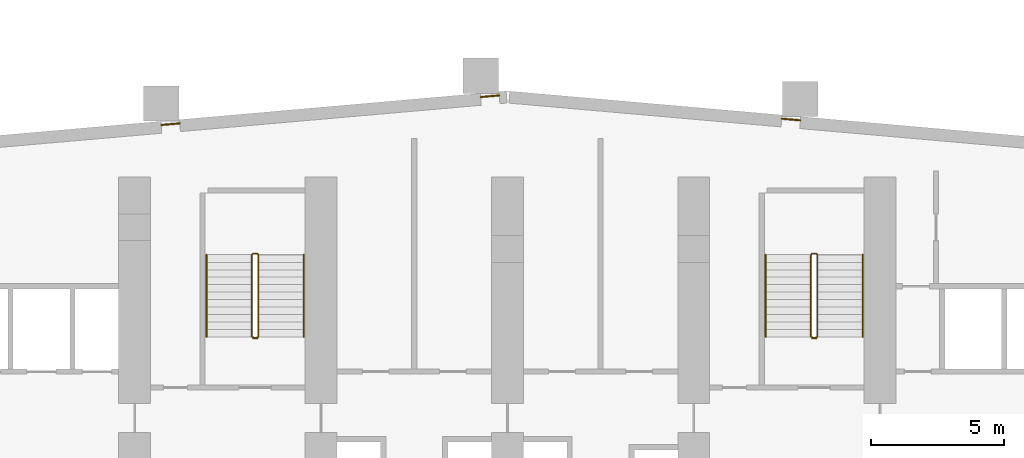
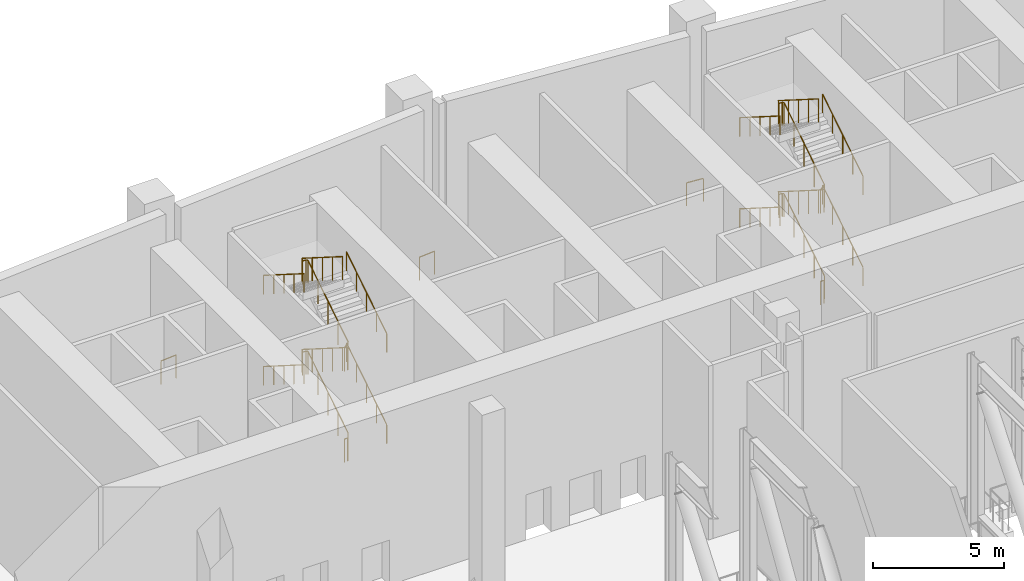
# One storey, part 32 of 33: 15 railings.
"""IFC4 building model written with IfcOpenShell, lengths in metres."""

from ifc_helpers import new_model, si_unit, direction, frame, origin, origin_2d, place, context, subcontext, project, spatial, circle, extrude, material, type_object, element, save


model = new_model("IFC4")

# Units and contexts
model_context = context("Model", 3, precision=1e-05, world=origin(), true_north=direction((0.0, 1.0)))
body_context = subcontext(model_context, "Body", "Model", "MODEL_VIEW")
ifc_project = project(units=[si_unit("LENGTHUNIT", "METRE"), si_unit("AREAUNIT", "SQUARE_METRE"), si_unit("VOLUMEUNIT", "CUBIC_METRE"), si_unit("PLANEANGLEUNIT", "RADIAN"), si_unit("MASSUNIT", "GRAM", prefix="KILO")], contexts=[model_context])

# Site, building, storey
site_placement = place(None, origin())
site = spatial("IfcSite", under=ifc_project, at=site_placement, CompositionType="ELEMENT")
building_placement = place(site_placement, origin())
building = spatial("IfcBuilding", under=site, at=building_placement, Name="Wharfspan Tower", CompositionType="ELEMENT")
storey_placement = place(building_placement, frame((0.0, 0.0, 33.0)))
storey = spatial("IfcBuildingStorey", under=building, at=storey_placement, Name="L05", CompositionType="ELEMENT", Elevation=33.0)

# Railings
ifc_material = material(Name="Steel S355J2", Category="steel")
railing_type_1 = type_object("IfcRailingType", Name="GUARD 1100 STEEL AND GLASS", PredefinedType="GUARDRAIL", material=ifc_material)
for number, where, name in (
    (1, (23.992188, 49.958496, 0.0), "Guard on the deck edge"),
    (2, (35.992188, 51.008301, 0.0), "Guard on the deck edge"),
):
    element("IfcRailing", number, at=place(storey_placement, frame(where)), inside=storey, type_object=railing_type_1, Name=name, PredefinedType="GUARDRAIL", context=body_context, shape_type="SweptSolid", body=[
        extrude(circle(Radius=0.024902, at=origin_2d()), frame((0.0, 0.0, 1.075195), z_axis=(0.99619, 0.087214, 0.0), x_axis=(-0.087214, 0.99619, 0.0)), (0.0, 0.0, 1.0), 0.702637),
        extrude(circle(Radius=0.02002, at=origin_2d()), origin(), (0.0, 0.0, 1.0), 1.050049),
        extrude(circle(Radius=0.02002, at=origin_2d()), frame((0.699951, 0.061279, 0.0)), (0.0, 0.0, 1.0), 1.050049),
    ])
railing_1_placement = place(storey_placement, frame((47.307861, 50.194824, 0.0)))
element("IfcRailing", 3, at=railing_1_placement, inside=storey, type_object=railing_type_1, Name="Guard on the deck edge", PredefinedType="GUARDRAIL", context=body_context, shape_type="SweptSolid", body=[
    extrude(circle(Radius=0.024902, at=origin_2d()), frame((0.0, 0.0, 1.075195), z_axis=(0.99619, -0.087214, 0.0), x_axis=(0.087214, 0.99619, 0.0)), (0.0, 0.0, 1.0), 0.702637),
    extrude(circle(Radius=0.02002, at=origin_2d()), origin(), (0.0, 0.0, 1.0), 1.050049),
    extrude(circle(Radius=0.02002, at=origin_2d()), frame((0.699951, -0.061279, 0.0)), (0.0, 0.0, 1.0), 1.050049),
])
railing_type_2 = type_object("IfcRailingType", Name="Stair guard 1100", PredefinedType="GUARDRAIL", material=ifc_material)
railing_2_placement = place(storey_placement, frame((27.649902, 42.0, 0.177002)))
element("IfcRailing", 4, at=railing_2_placement, inside=storey, type_object=railing_type_2, Name="L05 ST1 stair guard 1", PredefinedType="GUARDRAIL", context=body_context, shape_type="SweptSolid", body=[
    extrude(circle(Radius=0.023926, at=origin_2d()), frame((0.0, 0.0, 1.076172), z_axis=(0.0, 0.845156, 0.53452), x_axis=(-1.0, 0.0, 0.0)), (0.0, 0.0, 1.0), 3.644287),
    extrude(circle(Radius=0.023926, at=origin_2d()), frame((0.0, 3.080078, 3.023926), z_axis=(-0.707107, 0.707107, 0.0), x_axis=(-0.707107, -0.707107, 0.0)), (0.0, 0.0, 1.0), 0.070312),
    extrude(circle(Radius=0.023926, at=origin_2d()), frame((-0.049805, 3.129883, 3.023926), z_axis=(-1.0, 0.0, 0.0), x_axis=(0.0, -1.0, 0.0)), (0.0, 0.0, 1.0), 0.150146),
    extrude(circle(Radius=0.023926, at=origin_2d()), frame((-0.199951, 3.129883, 3.023926), z_axis=(-0.262634, -0.261353, 0.928826), x_axis=(0.705377, -0.708838, -1e-06)), (0.0, 0.0, 1.0), 0.190674),
    extrude(circle(Radius=0.023926, at=origin_2d()), frame((-0.25, 3.080078, 3.201172), z_axis=(0.0, -0.845156, 0.53452), x_axis=(1.0, 0.0, 0.0)), (0.0, 0.0, 1.0), 3.644287),
    extrude(circle(Radius=0.023926, at=origin_2d()), frame((-0.25, 0.0, 5.148926), z_axis=(0.970143, -0.242536, 0.0), x_axis=(0.242536, 0.970143, 0.0)), (0.0, 0.0, 1.0), 0.206299),
    extrude(circle(Radius=0.023926, at=origin_2d()), frame((-0.049805, -0.050049, 5.148926), z_axis=(-1.0, 0.0, 0.0), x_axis=(0.0, -1.0, 0.0)), (0.0, 0.0, 1.0), 0.150146),
    extrude(circle(Radius=0.023926, at=origin_2d()), frame((-0.199951, -0.050049, 5.148926), z_axis=(0.735955, 0.184214, 0.651487), x_axis=(-0.242813, 0.970075, -3e-06)), (0.0, 0.0, 1.0), 0.271729),
    extrude(circle(Radius=0.023926, at=origin_2d()), frame((0.0, 0.0, 5.326172), z_axis=(0.0, 0.845156, 0.53452), x_axis=(-1.0, 0.0, 0.0)), (0.0, 0.0, 1.0), 3.644287),
    extrude(circle(Radius=0.023926, at=origin_2d()), frame((0.0, 3.080078, 7.273926), z_axis=(-0.707107, 0.707107, 0.0), x_axis=(-0.707107, -0.707107, 0.0)), (0.0, 0.0, 1.0), 0.070312),
    extrude(circle(Radius=0.023926, at=origin_2d()), frame((-0.049805, 3.129883, 7.273926), z_axis=(-1.0, 0.0, 0.0), x_axis=(0.0, -1.0, 0.0)), (0.0, 0.0, 1.0), 0.150146),
    extrude(circle(Radius=0.023926, at=origin_2d()), frame((-0.199951, 3.129883, 7.273926), z_axis=(-0.262634, -0.261353, 0.928826), x_axis=(0.705377, -0.708838, -1e-06)), (0.0, 0.0, 1.0), 0.190674),
    extrude(circle(Radius=0.023926, at=origin_2d()), frame((-0.25, 3.080078, 7.451172), z_axis=(0.0, -0.845156, 0.53452), x_axis=(1.0, 0.0, 0.0)), (0.0, 0.0, 1.0), 3.644287),
    extrude(circle(Radius=0.020996, at=origin_2d()), origin(), (0.0, 0.0, 1.0), 1.052002),
    extrude(circle(Radius=0.020996, at=origin_2d()), frame((0.0, 0.77002, 0.487061)), (0.0, 0.0, 1.0), 1.052002),
    extrude(circle(Radius=0.020996, at=origin_2d()), frame((0.0, 1.540039, 0.974121)), (0.0, 0.0, 1.0), 1.052002),
    extrude(circle(Radius=0.020996, at=origin_2d()), frame((0.0, 2.310059, 1.460938)), (0.0, 0.0, 1.0), 1.052002),
    extrude(circle(Radius=0.020996, at=origin_2d()), frame((0.0, 3.080078, 1.947998)), (0.0, 0.0, 1.0), 1.052002),
    extrude(circle(Radius=0.020996, at=origin_2d()), frame((-0.049805, 3.129883, 1.947998)), (0.0, 0.0, 1.0), 1.052002),
    extrude(circle(Radius=0.020996, at=origin_2d()), frame((-0.199951, 3.129883, 1.947998)), (0.0, 0.0, 1.0), 1.052002),
    extrude(circle(Radius=0.020996, at=origin_2d()), frame((-0.25, 3.080078, 2.125)), (0.0, 0.0, 1.0), 1.052002),
    extrude(circle(Radius=0.020996, at=origin_2d()), frame((-0.25, 2.310059, 2.612061)), (0.0, 0.0, 1.0), 1.052002),
    extrude(circle(Radius=0.020996, at=origin_2d()), frame((-0.25, 1.540039, 3.099121)), (0.0, 0.0, 1.0), 1.052002),
    extrude(circle(Radius=0.020996, at=origin_2d()), frame((-0.25, 0.77002, 3.585938)), (0.0, 0.0, 1.0), 1.052002),
    extrude(circle(Radius=0.020996, at=origin_2d()), frame((-0.25, 0.0, 4.072998)), (0.0, 0.0, 1.0), 1.052002),
    extrude(circle(Radius=0.020996, at=origin_2d()), frame((-0.049805, -0.050049, 4.072998)), (0.0, 0.0, 1.0), 1.052002),
    extrude(circle(Radius=0.020996, at=origin_2d()), frame((-0.199951, -0.050049, 4.072998)), (0.0, 0.0, 1.0), 1.052002),
    extrude(circle(Radius=0.020996, at=origin_2d()), frame((0.0, 0.0, 4.25)), (0.0, 0.0, 1.0), 1.052002),
    extrude(circle(Radius=0.020996, at=origin_2d()), frame((0.0, 0.77002, 4.737061)), (0.0, 0.0, 1.0), 1.052002),
    extrude(circle(Radius=0.020996, at=origin_2d()), frame((0.0, 1.540039, 5.224121)), (0.0, 0.0, 1.0), 1.052002),
    extrude(circle(Radius=0.020996, at=origin_2d()), frame((0.0, 2.310059, 5.710938)), (0.0, 0.0, 1.0), 1.052002),
    extrude(circle(Radius=0.020996, at=origin_2d()), frame((0.0, 3.080078, 6.197998)), (0.0, 0.0, 1.0), 1.052002),
    extrude(circle(Radius=0.020996, at=origin_2d()), frame((-0.049805, 3.129883, 6.197998)), (0.0, 0.0, 1.0), 1.052002),
    extrude(circle(Radius=0.020996, at=origin_2d()), frame((-0.199951, 3.129883, 6.197998)), (0.0, 0.0, 1.0), 1.052002),
    extrude(circle(Radius=0.020996, at=origin_2d()), frame((-0.25, 3.080078, 6.375)), (0.0, 0.0, 1.0), 1.052002),
    extrude(circle(Radius=0.020996, at=origin_2d()), frame((-0.25, 2.310059, 6.862061)), (0.0, 0.0, 1.0), 1.052002),
    extrude(circle(Radius=0.020996, at=origin_2d()), frame((-0.25, 1.540039, 7.349121)), (0.0, 0.0, 1.0), 1.052002),
    extrude(circle(Radius=0.020996, at=origin_2d()), frame((-0.25, 0.77002, 7.835938)), (0.0, 0.0, 1.0), 1.052002),
    extrude(circle(Radius=0.020996, at=origin_2d()), frame((-0.25, 0.0, 8.322998)), (0.0, 0.0, 1.0), 1.052002),
])
railing_3_placement = place(storey_placement, frame((27.600098, 41.949951, 0.0)))
element("IfcRailing", 5, at=railing_3_placement, inside=storey, type_object=railing_type_2, Name="L05 ST1 stair guard 2", PredefinedType="GUARDRAIL", context=body_context, shape_type="SweptSolid", body=[
    extrude(circle(Radius=0.023926, at=origin_2d()), frame((0.0, 0.0, 1.076172), z_axis=(-1.0, 0.0, 0.0), x_axis=(0.0, -1.0, 0.0)), (0.0, 0.0, 1.0), 0.150146),
    extrude(circle(Radius=0.020996, at=origin_2d()), origin(), (0.0, 0.0, 1.0), 1.052002),
    extrude(circle(Radius=0.020996, at=origin_2d()), frame((-0.150146, 0.0, 0.0)), (0.0, 0.0, 1.0), 1.052002),
])
railing_4_placement = place(storey_placement, frame((48.649902, 42.0, 0.177002)))
element("IfcRailing", 6, at=railing_4_placement, inside=storey, type_object=railing_type_2, Name="L05 ST2 stair guard 1", PredefinedType="GUARDRAIL", context=body_context, shape_type="SweptSolid", body=[
    extrude(circle(Radius=0.023926, at=origin_2d()), frame((0.0, 0.0, 1.076172), z_axis=(0.0, 0.845156, 0.53452), x_axis=(-1.0, 0.0, 0.0)), (0.0, 0.0, 1.0), 3.644287),
    extrude(circle(Radius=0.023926, at=origin_2d()), frame((0.0, 3.080078, 3.023926), z_axis=(-0.707107, 0.707107, 0.0), x_axis=(-0.707107, -0.707107, 0.0)), (0.0, 0.0, 1.0), 0.070312),
    extrude(circle(Radius=0.023926, at=origin_2d()), frame((-0.049805, 3.129883, 3.023926), z_axis=(-1.0, 0.0, 0.0), x_axis=(0.0, -1.0, 0.0)), (0.0, 0.0, 1.0), 0.150146),
    extrude(circle(Radius=0.023926, at=origin_2d()), frame((-0.199951, 3.129883, 3.023926), z_axis=(-0.262634, -0.261353, 0.928826), x_axis=(0.705377, -0.708838, -1e-06)), (0.0, 0.0, 1.0), 0.190674),
    extrude(circle(Radius=0.023926, at=origin_2d()), frame((-0.25, 3.080078, 3.201172), z_axis=(0.0, -0.845156, 0.53452), x_axis=(1.0, 0.0, 0.0)), (0.0, 0.0, 1.0), 3.644287),
    extrude(circle(Radius=0.023926, at=origin_2d()), frame((-0.25, 0.0, 5.148926), z_axis=(0.970143, -0.242536, 0.0), x_axis=(0.242536, 0.970143, 0.0)), (0.0, 0.0, 1.0), 0.206299),
    extrude(circle(Radius=0.023926, at=origin_2d()), frame((-0.049805, -0.050049, 5.148926), z_axis=(-1.0, 0.0, 0.0), x_axis=(0.0, -1.0, 0.0)), (0.0, 0.0, 1.0), 0.150146),
    extrude(circle(Radius=0.023926, at=origin_2d()), frame((-0.199951, -0.050049, 5.148926), z_axis=(0.735955, 0.184214, 0.651487), x_axis=(-0.242813, 0.970075, -3e-06)), (0.0, 0.0, 1.0), 0.271729),
    extrude(circle(Radius=0.023926, at=origin_2d()), frame((0.0, 0.0, 5.326172), z_axis=(0.0, 0.845156, 0.53452), x_axis=(-1.0, 0.0, 0.0)), (0.0, 0.0, 1.0), 3.644287),
    extrude(circle(Radius=0.023926, at=origin_2d()), frame((0.0, 3.080078, 7.273926), z_axis=(-0.707107, 0.707107, 0.0), x_axis=(-0.707107, -0.707107, 0.0)), (0.0, 0.0, 1.0), 0.070312),
    extrude(circle(Radius=0.023926, at=origin_2d()), frame((-0.049805, 3.129883, 7.273926), z_axis=(-1.0, 0.0, 0.0), x_axis=(0.0, -1.0, 0.0)), (0.0, 0.0, 1.0), 0.150146),
    extrude(circle(Radius=0.023926, at=origin_2d()), frame((-0.199951, 3.129883, 7.273926), z_axis=(-0.262634, -0.261353, 0.928826), x_axis=(0.705377, -0.708838, -1e-06)), (0.0, 0.0, 1.0), 0.190674),
    extrude(circle(Radius=0.023926, at=origin_2d()), frame((-0.25, 3.080078, 7.451172), z_axis=(0.0, -0.845156, 0.53452), x_axis=(1.0, 0.0, 0.0)), (0.0, 0.0, 1.0), 3.644287),
    extrude(circle(Radius=0.020996, at=origin_2d()), origin(), (0.0, 0.0, 1.0), 1.052002),
    extrude(circle(Radius=0.020996, at=origin_2d()), frame((0.0, 0.77002, 0.487061)), (0.0, 0.0, 1.0), 1.052002),
    extrude(circle(Radius=0.020996, at=origin_2d()), frame((0.0, 1.540039, 0.974121)), (0.0, 0.0, 1.0), 1.052002),
    extrude(circle(Radius=0.020996, at=origin_2d()), frame((0.0, 2.310059, 1.460938)), (0.0, 0.0, 1.0), 1.052002),
    extrude(circle(Radius=0.020996, at=origin_2d()), frame((0.0, 3.080078, 1.947998)), (0.0, 0.0, 1.0), 1.052002),
    extrude(circle(Radius=0.020996, at=origin_2d()), frame((-0.049805, 3.129883, 1.947998)), (0.0, 0.0, 1.0), 1.052002),
    extrude(circle(Radius=0.020996, at=origin_2d()), frame((-0.199951, 3.129883, 1.947998)), (0.0, 0.0, 1.0), 1.052002),
    extrude(circle(Radius=0.020996, at=origin_2d()), frame((-0.25, 3.080078, 2.125)), (0.0, 0.0, 1.0), 1.052002),
    extrude(circle(Radius=0.020996, at=origin_2d()), frame((-0.25, 2.310059, 2.612061)), (0.0, 0.0, 1.0), 1.052002),
    extrude(circle(Radius=0.020996, at=origin_2d()), frame((-0.25, 1.540039, 3.099121)), (0.0, 0.0, 1.0), 1.052002),
    extrude(circle(Radius=0.020996, at=origin_2d()), frame((-0.25, 0.77002, 3.585938)), (0.0, 0.0, 1.0), 1.052002),
    extrude(circle(Radius=0.020996, at=origin_2d()), frame((-0.25, 0.0, 4.072998)), (0.0, 0.0, 1.0), 1.052002),
    extrude(circle(Radius=0.020996, at=origin_2d()), frame((-0.049805, -0.050049, 4.072998)), (0.0, 0.0, 1.0), 1.052002),
    extrude(circle(Radius=0.020996, at=origin_2d()), frame((-0.199951, -0.050049, 4.072998)), (0.0, 0.0, 1.0), 1.052002),
    extrude(circle(Radius=0.020996, at=origin_2d()), frame((0.0, 0.0, 4.25)), (0.0, 0.0, 1.0), 1.052002),
    extrude(circle(Radius=0.020996, at=origin_2d()), frame((0.0, 0.77002, 4.737061)), (0.0, 0.0, 1.0), 1.052002),
    extrude(circle(Radius=0.020996, at=origin_2d()), frame((0.0, 1.540039, 5.224121)), (0.0, 0.0, 1.0), 1.052002),
    extrude(circle(Radius=0.020996, at=origin_2d()), frame((0.0, 2.310059, 5.710938)), (0.0, 0.0, 1.0), 1.052002),
    extrude(circle(Radius=0.020996, at=origin_2d()), frame((0.0, 3.080078, 6.197998)), (0.0, 0.0, 1.0), 1.052002),
    extrude(circle(Radius=0.020996, at=origin_2d()), frame((-0.049805, 3.129883, 6.197998)), (0.0, 0.0, 1.0), 1.052002),
    extrude(circle(Radius=0.020996, at=origin_2d()), frame((-0.199951, 3.129883, 6.197998)), (0.0, 0.0, 1.0), 1.052002),
    extrude(circle(Radius=0.020996, at=origin_2d()), frame((-0.25, 3.080078, 6.375)), (0.0, 0.0, 1.0), 1.052002),
    extrude(circle(Radius=0.020996, at=origin_2d()), frame((-0.25, 2.310059, 6.862061)), (0.0, 0.0, 1.0), 1.052002),
    extrude(circle(Radius=0.020996, at=origin_2d()), frame((-0.25, 1.540039, 7.349121)), (0.0, 0.0, 1.0), 1.052002),
    extrude(circle(Radius=0.020996, at=origin_2d()), frame((-0.25, 0.77002, 7.835938)), (0.0, 0.0, 1.0), 1.052002),
    extrude(circle(Radius=0.020996, at=origin_2d()), frame((-0.25, 0.0, 8.322998)), (0.0, 0.0, 1.0), 1.052002),
])
railing_5_placement = place(storey_placement, frame((48.600098, 41.949951, 0.0)))
element("IfcRailing", 7, at=railing_5_placement, inside=storey, type_object=railing_type_2, Name="L05 ST2 stair guard 2", PredefinedType="GUARDRAIL", context=body_context, shape_type="SweptSolid", body=[
    extrude(circle(Radius=0.023926, at=origin_2d()), frame((0.0, 0.0, 1.076172), z_axis=(-1.0, 0.0, 0.0), x_axis=(0.0, -1.0, 0.0)), (0.0, 0.0, 1.0), 0.150146),
    extrude(circle(Radius=0.020996, at=origin_2d()), origin(), (0.0, 0.0, 1.0), 1.052002),
    extrude(circle(Radius=0.020996, at=origin_2d()), frame((-0.150146, 0.0, 0.0)), (0.0, 0.0, 1.0), 1.052002),
])
railing_type_3 = type_object("IfcRailingType", Name="Stair handrail 900", PredefinedType="HANDRAIL", material=ifc_material)
railing_6_placement = place(storey_placement, frame((29.350098, 42.0, 0.177002)))
element("IfcRailing", 8, at=railing_6_placement, inside=storey, type_object=railing_type_3, Name="L05 ST1 stair handrail 1", PredefinedType="HANDRAIL", context=body_context, shape_type="SweptSolid", body=[
    extrude(circle(Radius=0.023926, at=origin_2d()), frame((0.0, 0.0, 0.875977), z_axis=(0.0, 0.845156, 0.53452), x_axis=(-1.0, 0.0, 0.0)), (0.0, 0.0, 1.0), 3.644287),
    extrude(circle(Radius=0.020996, at=origin_2d()), origin(), (0.0, 0.0, 1.0), 0.851807),
    extrude(circle(Radius=0.020996, at=origin_2d()), frame((0.0, 0.77002, 0.487061)), (0.0, 0.0, 1.0), 0.851807),
    extrude(circle(Radius=0.020996, at=origin_2d()), frame((0.0, 1.540039, 0.974121)), (0.0, 0.0, 1.0), 0.851807),
    extrude(circle(Radius=0.020996, at=origin_2d()), frame((0.0, 2.310059, 1.460938)), (0.0, 0.0, 1.0), 0.851807),
    extrude(circle(Radius=0.020996, at=origin_2d()), frame((0.0, 3.080078, 1.947998)), (0.0, 0.0, 1.0), 0.851807),
])
railing_7_placement = place(storey_placement, frame((25.699951, 45.080078, 2.302002)))
element("IfcRailing", 9, at=railing_7_placement, inside=storey, type_object=railing_type_3, Name="L05 ST1 stair handrail 2", PredefinedType="HANDRAIL", context=body_context, shape_type="SweptSolid", body=[
    extrude(circle(Radius=0.023926, at=origin_2d()), frame((0.0, 0.0, 0.875977), z_axis=(0.0, -0.845156, 0.53452), x_axis=(1.0, 0.0, 0.0)), (0.0, 0.0, 1.0), 3.644287),
    extrude(circle(Radius=0.020996, at=origin_2d()), origin(), (0.0, 0.0, 1.0), 0.851807),
    extrude(circle(Radius=0.020996, at=origin_2d()), frame((0.0, -0.77002, 0.487061)), (0.0, 0.0, 1.0), 0.851807),
    extrude(circle(Radius=0.020996, at=origin_2d()), frame((0.0, -1.540039, 0.974121)), (0.0, 0.0, 1.0), 0.851807),
    extrude(circle(Radius=0.020996, at=origin_2d()), frame((0.0, -2.310059, 1.460938)), (0.0, 0.0, 1.0), 0.851807),
    extrude(circle(Radius=0.020996, at=origin_2d()), frame((0.0, -3.080078, 1.947998)), (0.0, 0.0, 1.0), 0.851807),
])
railing_8_placement = place(storey_placement, frame((29.350098, 42.0, 4.427002)))
element("IfcRailing", 10, at=railing_8_placement, inside=storey, type_object=railing_type_3, Name="L05 ST1 stair handrail 3", PredefinedType="HANDRAIL", context=body_context, shape_type="SweptSolid", body=[
    extrude(circle(Radius=0.023926, at=origin_2d()), frame((0.0, 0.0, 0.875977), z_axis=(0.0, 0.845156, 0.53452), x_axis=(-1.0, 0.0, 0.0)), (0.0, 0.0, 1.0), 3.644287),
    extrude(circle(Radius=0.020996, at=origin_2d()), origin(), (0.0, 0.0, 1.0), 0.851807),
    extrude(circle(Radius=0.020996, at=origin_2d()), frame((0.0, 0.77002, 0.487061)), (0.0, 0.0, 1.0), 0.851807),
    extrude(circle(Radius=0.020996, at=origin_2d()), frame((0.0, 1.540039, 0.974121)), (0.0, 0.0, 1.0), 0.851807),
    extrude(circle(Radius=0.020996, at=origin_2d()), frame((0.0, 2.310059, 1.460938)), (0.0, 0.0, 1.0), 0.851807),
    extrude(circle(Radius=0.020996, at=origin_2d()), frame((0.0, 3.080078, 1.947998)), (0.0, 0.0, 1.0), 0.851807),
])
railing_9_placement = place(storey_placement, frame((25.699951, 45.080078, 6.552002)))
element("IfcRailing", 11, at=railing_9_placement, inside=storey, type_object=railing_type_3, Name="L05 ST1 stair handrail 4", PredefinedType="HANDRAIL", context=body_context, shape_type="SweptSolid", body=[
    extrude(circle(Radius=0.023926, at=origin_2d()), frame((0.0, 0.0, 0.875977), z_axis=(0.0, -0.845156, 0.53452), x_axis=(1.0, 0.0, 0.0)), (0.0, 0.0, 1.0), 3.644287),
    extrude(circle(Radius=0.020996, at=origin_2d()), origin(), (0.0, 0.0, 1.0), 0.851807),
    extrude(circle(Radius=0.020996, at=origin_2d()), frame((0.0, -0.77002, 0.487061)), (0.0, 0.0, 1.0), 0.851807),
    extrude(circle(Radius=0.020996, at=origin_2d()), frame((0.0, -1.540039, 0.974121)), (0.0, 0.0, 1.0), 0.851807),
    extrude(circle(Radius=0.020996, at=origin_2d()), frame((0.0, -2.310059, 1.460938)), (0.0, 0.0, 1.0), 0.851807),
    extrude(circle(Radius=0.020996, at=origin_2d()), frame((0.0, -3.080078, 1.947998)), (0.0, 0.0, 1.0), 0.851807),
])
railing_10_placement = place(storey_placement, frame((50.350098, 42.0, 0.177002)))
element("IfcRailing", 12, at=railing_10_placement, inside=storey, type_object=railing_type_3, Name="L05 ST2 stair handrail 1", PredefinedType="HANDRAIL", context=body_context, shape_type="SweptSolid", body=[
    extrude(circle(Radius=0.023926, at=origin_2d()), frame((0.0, 0.0, 0.875977), z_axis=(0.0, 0.845156, 0.53452), x_axis=(-1.0, 0.0, 0.0)), (0.0, 0.0, 1.0), 3.644287),
    extrude(circle(Radius=0.020996, at=origin_2d()), origin(), (0.0, 0.0, 1.0), 0.851807),
    extrude(circle(Radius=0.020996, at=origin_2d()), frame((0.0, 0.77002, 0.487061)), (0.0, 0.0, 1.0), 0.851807),
    extrude(circle(Radius=0.020996, at=origin_2d()), frame((0.0, 1.540039, 0.974121)), (0.0, 0.0, 1.0), 0.851807),
    extrude(circle(Radius=0.020996, at=origin_2d()), frame((0.0, 2.310059, 1.460938)), (0.0, 0.0, 1.0), 0.851807),
    extrude(circle(Radius=0.020996, at=origin_2d()), frame((0.0, 3.080078, 1.947998)), (0.0, 0.0, 1.0), 0.851807),
])
railing_11_placement = place(storey_placement, frame((46.699951, 45.080078, 2.302002)))
element("IfcRailing", 13, at=railing_11_placement, inside=storey, type_object=railing_type_3, Name="L05 ST2 stair handrail 2", PredefinedType="HANDRAIL", context=body_context, shape_type="SweptSolid", body=[
    extrude(circle(Radius=0.023926, at=origin_2d()), frame((0.0, 0.0, 0.875977), z_axis=(0.0, -0.845156, 0.53452), x_axis=(1.0, 0.0, 0.0)), (0.0, 0.0, 1.0), 3.644287),
    extrude(circle(Radius=0.020996, at=origin_2d()), origin(), (0.0, 0.0, 1.0), 0.851807),
    extrude(circle(Radius=0.020996, at=origin_2d()), frame((0.0, -0.77002, 0.487061)), (0.0, 0.0, 1.0), 0.851807),
    extrude(circle(Radius=0.020996, at=origin_2d()), frame((0.0, -1.540039, 0.974121)), (0.0, 0.0, 1.0), 0.851807),
    extrude(circle(Radius=0.020996, at=origin_2d()), frame((0.0, -2.310059, 1.460938)), (0.0, 0.0, 1.0), 0.851807),
    extrude(circle(Radius=0.020996, at=origin_2d()), frame((0.0, -3.080078, 1.947998)), (0.0, 0.0, 1.0), 0.851807),
])
railing_12_placement = place(storey_placement, frame((50.350098, 42.0, 4.427002)))
element("IfcRailing", 14, at=railing_12_placement, inside=storey, type_object=railing_type_3, Name="L05 ST2 stair handrail 3", PredefinedType="HANDRAIL", context=body_context, shape_type="SweptSolid", body=[
    extrude(circle(Radius=0.023926, at=origin_2d()), frame((0.0, 0.0, 0.875977), z_axis=(0.0, 0.845156, 0.53452), x_axis=(-1.0, 0.0, 0.0)), (0.0, 0.0, 1.0), 3.644287),
    extrude(circle(Radius=0.020996, at=origin_2d()), origin(), (0.0, 0.0, 1.0), 0.851807),
    extrude(circle(Radius=0.020996, at=origin_2d()), frame((0.0, 0.77002, 0.487061)), (0.0, 0.0, 1.0), 0.851807),
    extrude(circle(Radius=0.020996, at=origin_2d()), frame((0.0, 1.540039, 0.974121)), (0.0, 0.0, 1.0), 0.851807),
    extrude(circle(Radius=0.020996, at=origin_2d()), frame((0.0, 2.310059, 1.460938)), (0.0, 0.0, 1.0), 0.851807),
    extrude(circle(Radius=0.020996, at=origin_2d()), frame((0.0, 3.080078, 1.947998)), (0.0, 0.0, 1.0), 0.851807),
])
railing_13_placement = place(storey_placement, frame((46.699951, 45.080078, 6.552002)))
element("IfcRailing", 15, at=railing_13_placement, inside=storey, type_object=railing_type_3, Name="L05 ST2 stair handrail 4", PredefinedType="HANDRAIL", context=body_context, shape_type="SweptSolid", body=[
    extrude(circle(Radius=0.023926, at=origin_2d()), frame((0.0, 0.0, 0.875977), z_axis=(0.0, -0.845156, 0.53452), x_axis=(1.0, 0.0, 0.0)), (0.0, 0.0, 1.0), 3.644287),
    extrude(circle(Radius=0.020996, at=origin_2d()), origin(), (0.0, 0.0, 1.0), 0.851807),
    extrude(circle(Radius=0.020996, at=origin_2d()), frame((0.0, -0.77002, 0.487061)), (0.0, 0.0, 1.0), 0.851807),
    extrude(circle(Radius=0.020996, at=origin_2d()), frame((0.0, -1.540039, 0.974121)), (0.0, 0.0, 1.0), 0.851807),
    extrude(circle(Radius=0.020996, at=origin_2d()), frame((0.0, -2.310059, 1.460938)), (0.0, 0.0, 1.0), 0.851807),
    extrude(circle(Radius=0.020996, at=origin_2d()), frame((0.0, -3.080078, 1.947998)), (0.0, 0.0, 1.0), 0.851807),
])

save(model, "model.ifc")
